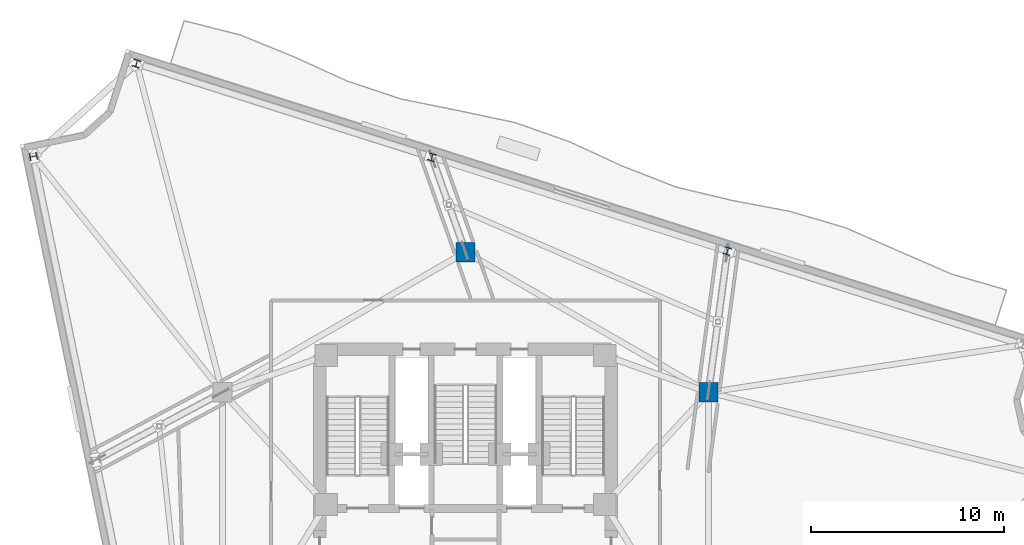
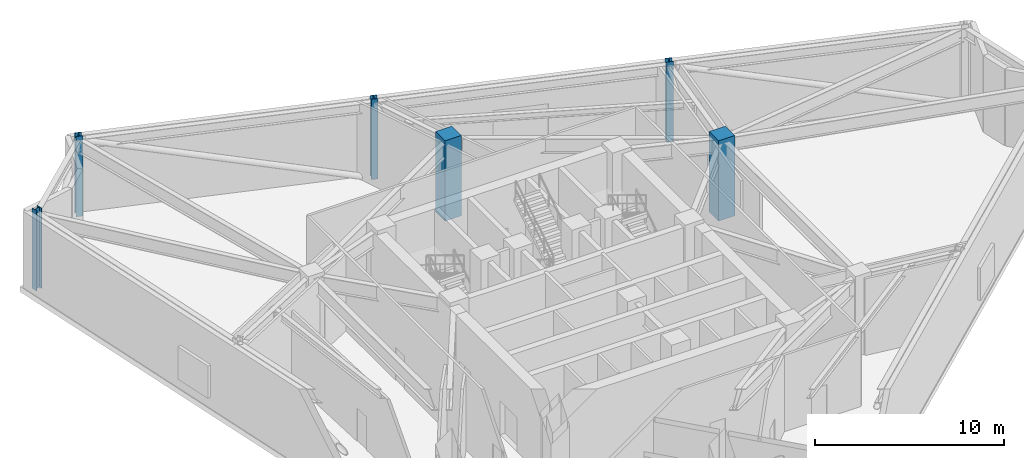
# One storey, part 2 of 16: 6 columns.
"""IFC4 building model written with IfcOpenShell, lengths in metres."""

from ifc_helpers import new_model, si_unit, direction, frame, origin, origin_2d, place, context, subcontext, project, spatial, rectangle, i_section, extrude, material, material_profile, profile_set, type_object, element, save


model = new_model("IFC4")

# Units and contexts
model_context = context("Model", 3, precision=1e-05, world=origin(), true_north=direction((0.0, 1.0)))
body_context = subcontext(model_context, "Body", "Model", "MODEL_VIEW")
ifc_project = project(units=[si_unit("LENGTHUNIT", "METRE"), si_unit("AREAUNIT", "SQUARE_METRE"), si_unit("VOLUMEUNIT", "CUBIC_METRE"), si_unit("PLANEANGLEUNIT", "RADIAN"), si_unit("MASSUNIT", "GRAM", prefix="KILO")], contexts=[model_context])

# Site, building, storey
site_placement = place(None, origin())
site = spatial("IfcSite", under=ifc_project, at=site_placement, CompositionType="ELEMENT")
building_placement = place(site_placement, origin())
building = spatial("IfcBuilding", under=site, at=building_placement, Name="Apsidion Concourse Tower", CompositionType="ELEMENT")
storey_placement = place(building_placement, frame((0.0, 0.0, 227.0)))
storey = spatial("IfcBuildingStorey", under=building, at=storey_placement, Name="L53", CompositionType="ELEMENT", Elevation=227.0)

# Columns
ifc_material_1 = material(Name="Concrete C50/60", Category="concrete")
ifc_material_profile_1 = material_profile(ifc_material_1, rectangle(XDim=1.0, YDim=1.0, at=origin_2d()), Name="RC 1000x1000")
ifc_profile_set_1 = profile_set([ifc_material_profile_1], Name="Concrete C50/60")
column_type_1 = type_object("IfcColumnType", Name="COL-RC-1000", PredefinedType="COLUMN", material=ifc_profile_set_1)
for number, where, z_axis, x_axis, name in (
    (1, (12.56005859375, 7.25, 0.0), (0.0, 0.0, 1.0), (1.0, 0.0, 0.0), "L53 Interior Spine Column IC3"),
    (2, (0.0, 14.5, 0.0), (0.0, 0.0, 1.0), (1.0, 0.0, 0.0), "L53 Interior Spine Column IC4"),
):
    element("IfcColumn", number, at=place(storey_placement, frame(where, z_axis=z_axis, x_axis=x_axis)), inside=storey, type_object=column_type_1, Name=name, PredefinedType="COLUMN", context=body_context, shape_type="SweptSolid", body=[
        extrude(rectangle(XDim=1.0, YDim=1.0, at=origin_2d()), origin(), (0.0, 0.0, 1.0), 5.199951171875),
    ])
ifc_material_2 = material(Name="Structural steel ASTM A992 Grade 50", Category="steel")
ifc_material_profile_2 = material_profile(ifc_material_2, i_section(OverallWidth=0.373046875, OverallDepth=0.373046875, WebThickness=0.016357421875, FlangeThickness=0.026123046875, at=origin_2d()), Name="W14X132")
ifc_profile_set_2 = profile_set([ifc_material_profile_2], Name="Structural steel ASTM A992 Grade 50")
column_type_2 = type_object("IfcColumnType", Name="COL-W14-132", PredefinedType="COLUMN", material=ifc_profile_set_2)
for number, where, z_axis, x_axis, name in (
    (3, (-22.337158203125, 19.44677734375, 0.0), (0.0, 0.0, 1.0), (-0.201248886216, 0.979540139962, 0.0), "L53 Rotated Perimeter Column PC01"),
    (4, (13.539306640625, 14.552978515625, 0.0), (0.0, 0.0, 1.0), (-0.953137879774, 0.3025362493, 0.0), "L53 Rotated Perimeter Column PC10"),
    (5, (-1.733154296875, 19.400390625, 0.0), (0.0, 0.0, 1.0), (-0.953137879774, 0.3025362493, 0.0), "L53 Rotated Perimeter Column PC11"),
    (6, (-17.00537109375, 24.24755859375, 0.0), (0.0, 0.0, 1.0), (-0.953137879774, 0.3025362493, 0.0), "L53 Rotated Perimeter Column PC12"),
):
    element("IfcColumn", number, at=place(storey_placement, frame(where, z_axis=z_axis, x_axis=x_axis)), inside=storey, type_object=column_type_2, Name=name, PredefinedType="COLUMN", context=body_context, shape_type="SweptSolid", body=[
        extrude(i_section(OverallWidth=0.373046875, OverallDepth=0.373046875, WebThickness=0.016357421875, FlangeThickness=0.026123046875, at=origin_2d()), origin(), (0.0, 0.0, 1.0), 5.199951171875),
    ])

save(model, "model.ifc")
